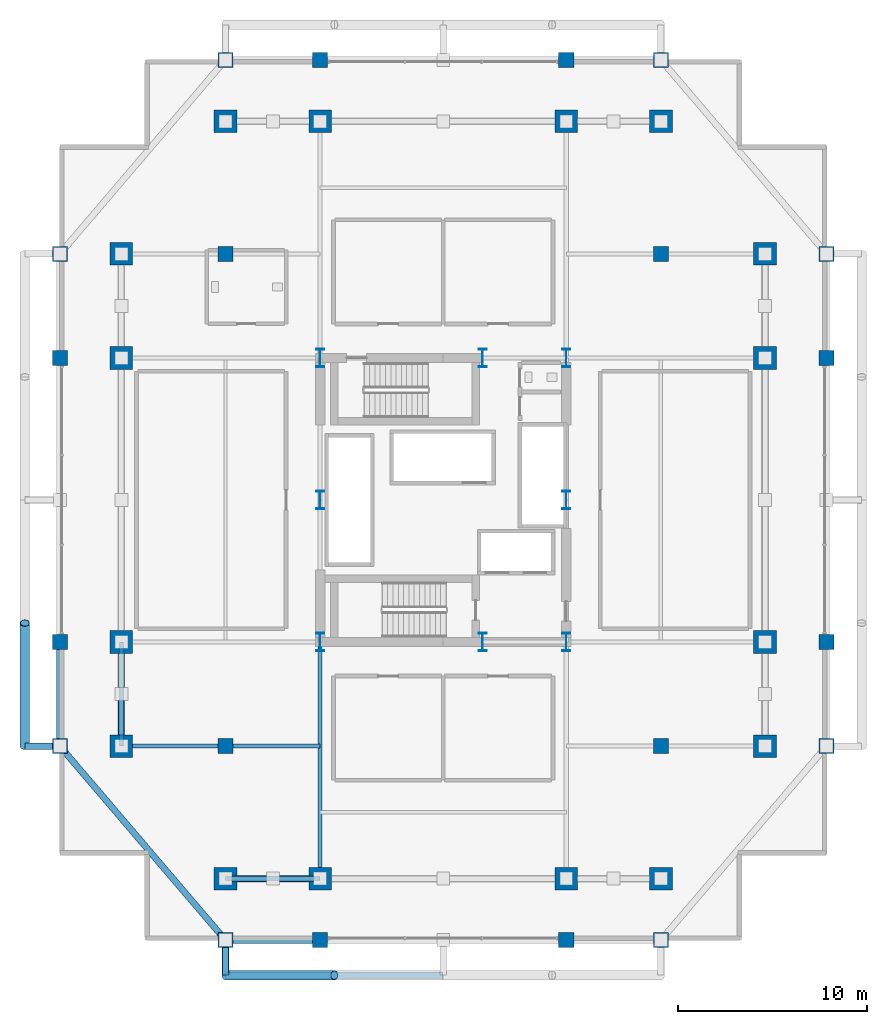
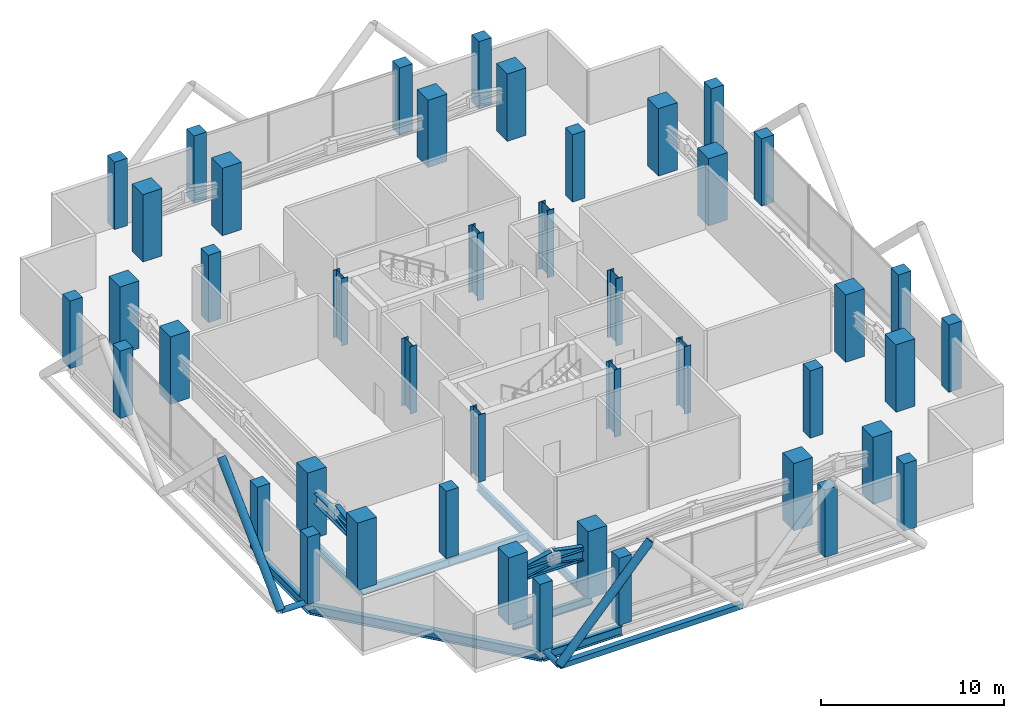
# One storey, part 1 of 22: 44 columns, 10 members, 8 beams.
"""IFC4 building model written with IfcOpenShell, lengths in metres."""

from ifc_helpers import new_model, si_unit, direction, frame, origin, origin_2d, place, context, subcontext, project, spatial, rectangle, hollow_rectangle, hollow_circle, i_section, extrude, material, material_profile, profile_set, type_object, element, save


model = new_model("IFC4")

# Units and contexts
model_context = context("Model", 3, precision=1e-05, world=origin(), true_north=direction((0.0, 1.0)))
body_context = subcontext(model_context, "Body", "Model", "MODEL_VIEW")
ifc_project = project(units=[si_unit("LENGTHUNIT", "METRE"), si_unit("AREAUNIT", "SQUARE_METRE"), si_unit("VOLUMEUNIT", "CUBIC_METRE"), si_unit("PLANEANGLEUNIT", "RADIAN"), si_unit("MASSUNIT", "GRAM", prefix="KILO")], contexts=[model_context])

# Site, building, storey
site_placement = place(None, origin())
site = spatial("IfcSite", under=ifc_project, at=site_placement, CompositionType="ELEMENT")
building_placement = place(site_placement, origin())
building = spatial("IfcBuilding", under=site, at=building_placement, Name="Barlavira Tower and Art Museum", CompositionType="ELEMENT")
storey_placement = place(building_placement, frame((0.0, 0.0, 120.60009765625)))
storey = spatial("IfcBuildingStorey", under=building, at=storey_placement, Name="L30", CompositionType="ELEMENT", Elevation=120.60009765625)

# Columns
ifc_material_1 = material(Name="Steel S355", Category="steel")
ifc_material_profile_1 = material_profile(ifc_material_1, i_section(OverallWidth=0.419921875, OverallDepth=0.9599609375, WebThickness=0.02197265625, FlangeThickness=0.033935546875, at=origin_2d()), Name="W920x387.0")
ifc_profile_set_1 = profile_set([ifc_material_profile_1], Name="Steel S355")
column_type_1 = type_object("IfcColumnType", Name="Core Composite Column W920x387 Steel S355", PredefinedType="COLUMN", material=ifc_profile_set_1)
for number, where, z_axis, x_axis, name in (
    (1, (-6.5, -7.5, 0.0), (0.0, 0.0, 1.0), (1.0, 0.0, 0.0), "L30 Column CC-L30-C1"),
    (2, (2.080078125, -7.5, 0.0), (0.0, 0.0, 1.0), (1.0, 0.0, 0.0), "L30 Column CC-L30-C2"),
    (3, (6.5, -7.5, 0.0), (0.0, 0.0, 1.0), (1.0, 0.0, 0.0), "L30 Column CC-L30-C3"),
    (4, (-6.5, 0.0, 0.0), (0.0, 0.0, 1.0), (1.0, 0.0, 0.0), "L30 Column CC-L30-C4"),
    (5, (6.5, 0.0, 0.0), (0.0, 0.0, 1.0), (1.0, 0.0, 0.0), "L30 Column CC-L30-C5"),
    (6, (-6.5, 7.5, 0.0), (0.0, 0.0, 1.0), (1.0, 0.0, 0.0), "L30 Column CC-L30-C6"),
    (7, (2.080078125, 7.5, 0.0), (0.0, 0.0, 1.0), (1.0, 0.0, 0.0), "L30 Column CC-L30-C7"),
    (8, (6.5, 7.5, 0.0), (0.0, 0.0, 1.0), (1.0, 0.0, 0.0), "L30 Column CC-L30-C8"),
):
    element("IfcColumn", number, at=place(storey_placement, frame(where, z_axis=z_axis, x_axis=x_axis)), inside=storey, type_object=column_type_1, Name=name, PredefinedType="COLUMN", context=body_context, shape_type="SweptSolid", body=[
        extrude(i_section(OverallWidth=0.419921875, OverallDepth=0.9599609375, WebThickness=0.02197265625, FlangeThickness=0.033935546875, at=origin_2d()), origin(), (0.0, 0.0, 1.0), 4.5),
    ])
ifc_material_2 = material(Name="Concrete C60", Category="concrete")
ifc_material_profile_2 = material_profile(ifc_material_2, rectangle(XDim=1.199951171875, YDim=1.199951171875, at=origin_2d()), Name="RC-COL 1200x1200")
ifc_profile_set_2 = profile_set([ifc_material_profile_2], Name="Concrete C60")
column_type_2 = type_object("IfcColumnType", Name="Perimeter Mega Column 1200x1200 Concrete C60", PredefinedType="USERDEFINED", material=ifc_profile_set_2)
for number, where, z_axis, x_axis, name in (
    (9, (-11.5, -20.0, 0.0), (0.0, 0.0, 1.0), (1.0, 0.0, 0.0), "L30 Column MC-L30-M01"),
    (10, (-6.5, -20.0, 0.0), (0.0, 0.0, 1.0), (1.0, 0.0, 0.0), "L30 Column MC-L30-M02"),
    (11, (6.5, -20.0, 0.0), (0.0, 0.0, 1.0), (1.0, 0.0, 0.0), "L30 Column MC-L30-M03"),
    (12, (11.5, -20.0, 0.0), (0.0, 0.0, 1.0), (1.0, 0.0, 0.0), "L30 Column MC-L30-M04"),
    (13, (17.0, -13.0, 0.0), (0.0, 0.0, 1.0), (1.0, 0.0, 0.0), "L30 Column MC-L30-M05"),
    (14, (17.0, -7.5, 0.0), (0.0, 0.0, 1.0), (1.0, 0.0, 0.0), "L30 Column MC-L30-M06"),
    (15, (17.0, 7.5, 0.0), (0.0, 0.0, 1.0), (1.0, 0.0, 0.0), "L30 Column MC-L30-M07"),
    (16, (17.0, 13.0, 0.0), (0.0, 0.0, 1.0), (1.0, 0.0, 0.0), "L30 Column MC-L30-M08"),
    (17, (11.5, 20.0, 0.0), (0.0, 0.0, 1.0), (1.0, 0.0, 0.0), "L30 Column MC-L30-M09"),
    (18, (6.5, 20.0, 0.0), (0.0, 0.0, 1.0), (1.0, 0.0, 0.0), "L30 Column MC-L30-M10"),
    (19, (-6.5, 20.0, 0.0), (0.0, 0.0, 1.0), (1.0, 0.0, 0.0), "L30 Column MC-L30-M11"),
    (20, (-11.5, 20.0, 0.0), (0.0, 0.0, 1.0), (1.0, 0.0, 0.0), "L30 Column MC-L30-M12"),
    (21, (-17.0, 13.0, 0.0), (0.0, 0.0, 1.0), (1.0, 0.0, 0.0), "L30 Column MC-L30-M13"),
    (22, (-17.0, 7.5, 0.0), (0.0, 0.0, 1.0), (1.0, 0.0, 0.0), "L30 Column MC-L30-M14"),
    (23, (-17.0, -7.5, 0.0), (0.0, 0.0, 1.0), (1.0, 0.0, 0.0), "L30 Column MC-L30-M15"),
    (24, (-17.0, -13.0, 0.0), (0.0, 0.0, 1.0), (1.0, 0.0, 0.0), "L30 Column MC-L30-M16"),
):
    element("IfcColumn", number, at=place(storey_placement, frame(where, z_axis=z_axis, x_axis=x_axis)), inside=storey, type_object=column_type_2, Name=name, ObjectType="MEGA COLUMN", PredefinedType="USERDEFINED", context=body_context, shape_type="SweptSolid", body=[
        extrude(rectangle(XDim=1.199951171875, YDim=1.199951171875, at=origin_2d()), origin(), (0.0, 0.0, 1.0), 4.5),
    ])
ifc_material_3 = material(Name="Concrete C50", Category="concrete")
ifc_material_profile_3 = material_profile(ifc_material_3, rectangle(XDim=0.800048828125, YDim=0.800048828125, at=origin_2d()), Name="RC-COL 800x800")
ifc_profile_set_3 = profile_set([ifc_material_profile_3], Name="Concrete C50")
column_type_3 = type_object("IfcColumnType", Name="Podium Frame Column 800x800 Concrete C50", PredefinedType="COLUMN", material=ifc_profile_set_3)
for number, where, z_axis, x_axis, name in (
    (25, (-11.5, -13.0, 0.0), (0.0, 0.0, 1.0), (1.0, 0.0, 0.0), "L30 Column CI-L30-I1"),
    (26, (11.5, -13.0, 0.0), (0.0, 0.0, 1.0), (1.0, 0.0, 0.0), "L30 Column CI-L30-I2"),
    (27, (-11.5, 13.0, 0.0), (0.0, 0.0, 1.0), (1.0, 0.0, 0.0), "L30 Column CI-L30-I3"),
    (28, (11.5, 13.0, 0.0), (0.0, 0.0, 1.0), (1.0, 0.0, 0.0), "L30 Column CI-L30-I4"),
    (29, (-11.5, -23.25, 0.0), (0.0, 0.0, 1.0), (1.0, 0.0, 0.0), "L30 Column CZ2-L30-N01"),
    (30, (-6.5, -23.25, 0.0), (0.0, 0.0, 1.0), (1.0, 0.0, 0.0), "L30 Column CZ2-L30-N02"),
    (31, (6.5, -23.25, 0.0), (0.0, 0.0, 1.0), (1.0, 0.0, 0.0), "L30 Column CZ2-L30-N02B"),
    (32, (11.5, -23.25, 0.0), (0.0, 0.0, 1.0), (1.0, 0.0, 0.0), "L30 Column CZ2-L30-N03"),
    (33, (-20.25, -13.0, 0.0), (0.0, 0.0, 1.0), (1.0, 0.0, 0.0), "L30 Column CZ2-L30-N04"),
    (34, (-20.25, -7.5, 0.0), (0.0, 0.0, 1.0), (1.0, 0.0, 0.0), "L30 Column CZ2-L30-N05"),
    (35, (-20.25, 7.5, 0.0), (0.0, 0.0, 1.0), (1.0, 0.0, 0.0), "L30 Column CZ2-L30-N05B"),
    (36, (-20.25, 13.0, 0.0), (0.0, 0.0, 1.0), (1.0, 0.0, 0.0), "L30 Column CZ2-L30-N06"),
    (37, (-11.5, 23.25, 0.0), (0.0, 0.0, 1.0), (1.0, 0.0, 0.0), "L30 Column CZ2-L30-N07"),
    (38, (-6.5, 23.25, 0.0), (0.0, 0.0, 1.0), (1.0, 0.0, 0.0), "L30 Column CZ2-L30-N08"),
    (39, (6.5, 23.25, 0.0), (0.0, 0.0, 1.0), (1.0, 0.0, 0.0), "L30 Column CZ2-L30-N08B"),
    (40, (11.5, 23.25, 0.0), (0.0, 0.0, 1.0), (1.0, 0.0, 0.0), "L30 Column CZ2-L30-N09"),
    (41, (20.25, -13.0, 0.0), (0.0, 0.0, 1.0), (1.0, 0.0, 0.0), "L30 Column CZ2-L30-N10"),
    (42, (20.25, -7.5, 0.0), (0.0, 0.0, 1.0), (1.0, 0.0, 0.0), "L30 Column CZ2-L30-N11"),
    (43, (20.25, 7.5, 0.0), (0.0, 0.0, 1.0), (1.0, 0.0, 0.0), "L30 Column CZ2-L30-N11B"),
    (44, (20.25, 13.0, 0.0), (0.0, 0.0, 1.0), (1.0, 0.0, 0.0), "L30 Column CZ2-L30-N12"),
):
    element("IfcColumn", number, at=place(storey_placement, frame(where, z_axis=z_axis, x_axis=x_axis)), inside=storey, type_object=column_type_3, Name=name, PredefinedType="COLUMN", context=body_context, shape_type="SweptSolid", body=[
        extrude(rectangle(XDim=0.800048828125, YDim=0.800048828125, at=origin_2d()), origin(), (0.0, 0.0, 1.0), 4.5),
    ])

# Members
ifc_material_profile_4 = material_profile(ifc_material_1, i_section(OverallWidth=0.35595703125, OverallDepth=0.695068359375, WebThickness=0.014892578125, FlangeThickness=0.023681640625, at=origin_2d()), Name="W690x192.0")
ifc_profile_set_4 = profile_set([ifc_material_profile_4], Name="Steel S355")
member_type_1 = type_object("IfcMemberType", Name="Belt Truss Chord Member W690x192 Steel S355", PredefinedType="CHORD", material=ifc_profile_set_4)
member_1_placement = place(storey_placement, frame((-11.5, -20.0, 2.64990234375), z_axis=(1.0, 0.0, 0.0), x_axis=(0.0, 1.0, 0.0)))
element("IfcMember", 45, at=member_1_placement, inside=storey, type_object=member_type_1, Name="L30 Belt Truss Bottom Chord BS1", PredefinedType="CHORD", context=body_context, shape_type="SweptSolid", body=[
    extrude(i_section(OverallWidth=0.35595703125, OverallDepth=0.695068359375, WebThickness=0.014892578125, FlangeThickness=0.023681640625, at=origin_2d()), origin(), (0.0, 0.0, 1.0), 5.0),
])
member_2_placement = place(storey_placement, frame((-17.0, -13.0, 2.64990234375), z_axis=(0.0, 1.0, 0.0), x_axis=(-1.0, 0.0, 0.0)))
element("IfcMember", 46, at=member_2_placement, inside=storey, type_object=member_type_1, Name="L30 Belt Truss Bottom Chord BW1", PredefinedType="CHORD", context=body_context, shape_type="SweptSolid", body=[
    extrude(i_section(OverallWidth=0.35595703125, OverallDepth=0.695068359375, WebThickness=0.014892578125, FlangeThickness=0.023681640625, at=origin_2d()), origin(), (0.0, 0.0, 1.0), 5.5),
])
ifc_material_profile_5 = material_profile(ifc_material_1, i_section(OverallWidth=0.2939453125, OverallDepth=0.85107421875, WebThickness=0.017333984375, FlangeThickness=0.0283203125, at=origin_2d()), Name="W840x251.0")
ifc_profile_set_5 = profile_set([ifc_material_profile_5], Name="Steel S355")
member_type_2 = type_object("IfcMemberType", Name="Belt Truss Diagonal Brace W840x251 Steel S355", PredefinedType="BRACE", material=ifc_profile_set_5)
for number, where, z_axis, x_axis, name in (
    (47, (-11.5, -20.0, 2.64990234375), (0.980580675691, 0.0, 0.196116135138), (0.0, 1.0, 0.0), "L30 Belt Truss Diagonal BS1-1"),
    (48, (-9.0, -20.0, 3.14990234375), (0.980580675691, 0.0, -0.196116135138), (0.0, 1.0, 0.0), "L30 Belt Truss Diagonal BS1-2"),
):
    element("IfcMember", number, at=place(storey_placement, frame(where, z_axis=z_axis, x_axis=x_axis)), inside=storey, type_object=member_type_2, Name=name, PredefinedType="BRACE", context=body_context, shape_type="SweptSolid", body=[
        extrude(i_section(OverallWidth=0.2939453125, OverallDepth=0.85107421875, WebThickness=0.017333984375, FlangeThickness=0.0283203125, at=origin_2d()), origin(), (0.0, 0.0, 1.0), 2.549560546875),
    ])
member_3_placement = place(storey_placement, frame((-17.0, -13.0, 2.64990234375), z_axis=(0.0, 0.9838699101, 0.1788854382), x_axis=(-1.0, 0.0, 0.0)))
element("IfcMember", 49, at=member_3_placement, inside=storey, type_object=member_type_2, Name="L30 Belt Truss Diagonal BW1-1", PredefinedType="BRACE", context=body_context, shape_type="SweptSolid", body=[
    extrude(i_section(OverallWidth=0.2939453125, OverallDepth=0.85107421875, WebThickness=0.017333984375, FlangeThickness=0.0283203125, at=origin_2d()), origin(), (0.0, 0.0, 1.0), 2.795166015625),
])
ifc_material_profile_6 = material_profile(ifc_material_1, hollow_circle(Radius=0.25390625, WallThickness=0.022216796875, at=origin_2d()), Name="CHS 508.0x22.2")
ifc_profile_set_6 = profile_set([ifc_material_profile_6], Name="Steel S355")
member_type_3 = type_object("IfcMemberType", Name="Pale-Metal Exoskeleton Diagrid Tube CHS 508x22 Steel S355", PredefinedType="BRACE", material=ifc_profile_set_6)
member_4_placement = place(storey_placement, frame((-11.5, -25.10009765625, -0.1201171875), z_axis=(0.67412750573, 0.0, 0.738614991736), x_axis=(0.0, 1.0, 0.0)))
element("IfcMember", 50, at=member_4_placement, inside=storey, type_object=member_type_3, Name="L30 Exoskeleton Diagrid Tube S", PredefinedType="BRACE", context=body_context, shape_type="SweptSolid", body=[
    extrude(hollow_circle(Radius=0.25390625, WallThickness=0.022216796875, at=origin_2d()), origin(), (0.0, 0.0, 1.0), 8.529541015625),
])
member_5_placement = place(storey_placement, frame((-22.10009765625, -13.0, -0.1201171875), z_axis=(0.0, 0.718064979499, 0.695976066555), x_axis=(-1.0, 0.0, 0.0)))
element("IfcMember", 51, at=member_5_placement, inside=storey, type_object=member_type_3, Name="L30 Exoskeleton Diagrid Tube W", PredefinedType="BRACE", context=body_context, shape_type="SweptSolid", body=[
    extrude(hollow_circle(Radius=0.25390625, WallThickness=0.022216796875, at=origin_2d()), origin(), (0.0, 0.0, 1.0), 9.052001953125),
])
ifc_material_profile_7 = material_profile(ifc_material_1, hollow_rectangle(XDim=0.35009765625, YDim=0.35009765625, WallThickness=0.02001953125, at=origin_2d()), Name="SHS 350x350x20.0")
ifc_profile_set_7 = profile_set([ifc_material_profile_7], Name="Steel S355")
member_type_4 = type_object("IfcMemberType", Name="Pale-Metal Exoskeleton Ring Strut SHS 350x350x20 Steel S355", PredefinedType="STRUT", material=ifc_profile_set_7)
member_6_placement = place(storey_placement, frame((-11.5, -25.10009765625, -0.1201171875), z_axis=(1.0, 0.0, 0.0), x_axis=(0.0, 1.0, 0.0)))
element("IfcMember", 52, at=member_6_placement, inside=storey, type_object=member_type_4, Name="L30 Exoskeleton Ring Strut S", PredefinedType="STRUT", context=body_context, shape_type="SweptSolid", body=[
    extrude(hollow_rectangle(XDim=0.35009765625, YDim=0.35009765625, WallThickness=0.02001953125, at=origin_2d()), origin(), (0.0, 0.0, 1.0), 11.5),
])
ifc_material_profile_8 = material_profile(ifc_material_1, hollow_circle(Radius=0.177734375, WallThickness=0.01611328125, at=origin_2d()), Name="CHS 355.6x16.0")
ifc_profile_set_8 = profile_set([ifc_material_profile_8], Name="Steel S355")
member_type_5 = type_object("IfcMemberType", Name="Pale-Metal Exoskeleton Tie Strut CHS 356x16 Steel S355", PredefinedType="STRUT", material=ifc_profile_set_8)
for number, where, z_axis, x_axis, name in (
    (53, (-11.5, -25.10009765625, -0.1201171875), (0.0, 1.0, 0.0), (-1.0, 0.0, 0.0), "L30 Exoskeleton Tie Strut S1"),
    (54, (-22.10009765625, -13.0, -0.1201171875), (1.0, 0.0, 0.0), (0.0, 1.0, 0.0), "L30 Exoskeleton Tie Strut W1"),
):
    element("IfcMember", number, at=place(storey_placement, frame(where, z_axis=z_axis, x_axis=x_axis)), inside=storey, type_object=member_type_5, Name=name, PredefinedType="STRUT", context=body_context, shape_type="SweptSolid", body=[
        extrude(hollow_circle(Radius=0.177734375, WallThickness=0.01611328125, at=origin_2d()), origin(), (0.0, 0.0, 1.0), 1.85009765625),
    ])

# Beams
ifc_material_profile_9 = material_profile(ifc_material_1, i_section(OverallWidth=0.327880859375, OverallDepth=0.62890625, WebThickness=0.013916015625, FlangeThickness=0.021484375, at=origin_2d()), Name="W610x174.0")
ifc_profile_set_9 = profile_set([ifc_material_profile_9], Name="Steel S355")
beam_type_1 = type_object("IfcBeamType", Name="Perimeter Spandrel Edge Beam W610x174 Steel S355", PredefinedType="SPANDREL", material=ifc_profile_set_9)
beam_1_placement = place(storey_placement, frame((-11.5, -23.25, -0.614501953125), z_axis=(1.0, 0.0, 0.0), x_axis=(0.0, 1.0, 0.0)))
element("IfcBeam", 55, at=beam_1_placement, inside=storey, type_object=beam_type_1, Name="L30 Spandrel 1", PredefinedType="SPANDREL", context=body_context, shape_type="SweptSolid", body=[
    extrude(i_section(OverallWidth=0.327880859375, OverallDepth=0.62890625, WebThickness=0.013916015625, FlangeThickness=0.021484375, at=origin_2d()), origin(), (0.0, 0.0, 1.0), 5.0),
])
beam_2_placement = place(storey_placement, frame((-20.25, -13.0, -0.614501953125), z_axis=(0.0, 1.0, 0.0), x_axis=(-1.0, 0.0, 0.0)))
element("IfcBeam", 56, at=beam_2_placement, inside=storey, type_object=beam_type_1, Name="L30 Spandrel 15", PredefinedType="SPANDREL", context=body_context, shape_type="SweptSolid", body=[
    extrude(i_section(OverallWidth=0.327880859375, OverallDepth=0.62890625, WebThickness=0.013916015625, FlangeThickness=0.021484375, at=origin_2d()), origin(), (0.0, 0.0, 1.0), 5.5),
])
beam_3_placement = place(storey_placement, frame((-20.25, -13.0, -0.614501953125), z_axis=(0.649262379928, -0.760564502202, 0.0), x_axis=(0.760564502202, 0.649262379928, 0.0)))
element("IfcBeam", 57, at=beam_3_placement, inside=storey, type_object=beam_type_1, Name="L30 Spandrel 16", PredefinedType="SPANDREL", context=body_context, shape_type="SweptSolid", body=[
    extrude(i_section(OverallWidth=0.327880859375, OverallDepth=0.62890625, WebThickness=0.013916015625, FlangeThickness=0.021484375, at=origin_2d()), origin(), (0.0, 0.0, 1.0), 13.476806640625),
])
ifc_material_profile_10 = material_profile(ifc_material_1, i_section(OverallWidth=0.214111328125, OverallDepth=0.549072265625, WebThickness=0.0146484375, FlangeThickness=0.023681640625, at=origin_2d()), Name="W530x138.0")
ifc_profile_set_10 = profile_set([ifc_material_profile_10], Name="Steel S355")
beam_type_2 = type_object("IfcBeamType", Name="Zone 1 Primary Floor Girder W530x138 Steel S355", PredefinedType="BEAM", material=ifc_profile_set_10)
beam_4_placement = place(storey_placement, frame((-11.5, -20.0, -0.57470703125), z_axis=(1.0, 0.0, 0.0), x_axis=(0.0, 1.0, 0.0)))
element("IfcBeam", 58, at=beam_4_placement, inside=storey, type_object=beam_type_2, Name="L30 Girder M-S1", PredefinedType="BEAM", context=body_context, shape_type="SweptSolid", body=[
    extrude(i_section(OverallWidth=0.214111328125, OverallDepth=0.549072265625, WebThickness=0.0146484375, FlangeThickness=0.023681640625, at=origin_2d()), origin(), (0.0, 0.0, 1.0), 5.0),
])
beam_5_placement = place(storey_placement, frame((-17.0, -13.0, -0.57470703125), z_axis=(0.0, 1.0, 0.0), x_axis=(-1.0, 0.0, 0.0)))
element("IfcBeam", 59, at=beam_5_placement, inside=storey, type_object=beam_type_2, Name="L30 Girder M-W1", PredefinedType="BEAM", context=body_context, shape_type="SweptSolid", body=[
    extrude(i_section(OverallWidth=0.214111328125, OverallDepth=0.549072265625, WebThickness=0.0146484375, FlangeThickness=0.023681640625, at=origin_2d()), origin(), (0.0, 0.0, 1.0), 5.5),
])
beam_6_placement = place(storey_placement, frame((-6.5, -20.0, -0.57470703125), z_axis=(0.0, 1.0, 0.0), x_axis=(-1.0, 0.0, 0.0)))
element("IfcBeam", 60, at=beam_6_placement, inside=storey, type_object=beam_type_2, Name="L30 Girder R-S1", PredefinedType="BEAM", context=body_context, shape_type="SweptSolid", body=[
    extrude(i_section(OverallWidth=0.214111328125, OverallDepth=0.549072265625, WebThickness=0.0146484375, FlangeThickness=0.023681640625, at=origin_2d()), origin(), (0.0, 0.0, 1.0), 12.5),
])
beam_7_placement = place(storey_placement, frame((-17.0, -13.0, -0.57470703125), z_axis=(1.0, 0.0, 0.0), x_axis=(0.0, 1.0, 0.0)))
element("IfcBeam", 61, at=beam_7_placement, inside=storey, type_object=beam_type_2, Name="L30 Girder I-S1", PredefinedType="BEAM", context=body_context, shape_type="SweptSolid", body=[
    extrude(i_section(OverallWidth=0.214111328125, OverallDepth=0.549072265625, WebThickness=0.0146484375, FlangeThickness=0.023681640625, at=origin_2d()), origin(), (0.0, 0.0, 1.0), 5.5),
])
beam_8_placement = place(storey_placement, frame((-11.5, -13.0, -0.57470703125), z_axis=(1.0, 0.0, 0.0), x_axis=(0.0, 1.0, 0.0)))
element("IfcBeam", 62, at=beam_8_placement, inside=storey, type_object=beam_type_2, Name="L30 Girder I-S2", PredefinedType="BEAM", context=body_context, shape_type="SweptSolid", body=[
    extrude(i_section(OverallWidth=0.214111328125, OverallDepth=0.549072265625, WebThickness=0.0146484375, FlangeThickness=0.023681640625, at=origin_2d()), origin(), (0.0, 0.0, 1.0), 5.0),
])

save(model, "model.ifc")
